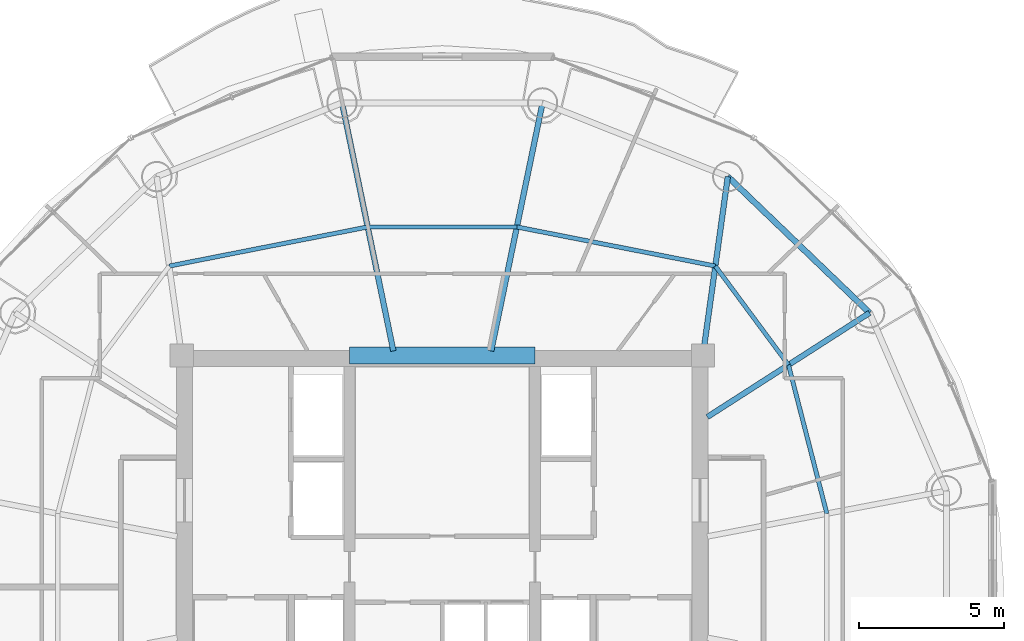
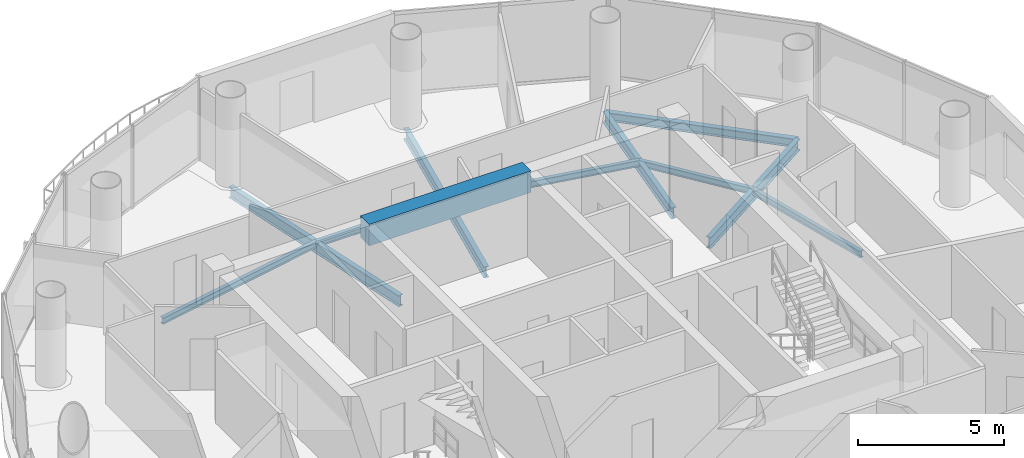
# One storey, part 9 of 23: 11 beams.
"""IFC4 building model written with IfcOpenShell, lengths in metres."""

from ifc_helpers import new_model, si_unit, direction, frame, origin, origin_2d, place, context, subcontext, project, spatial, rectangle, i_section, extrude, material, material_profile, profile_set, type_object, element, save


model = new_model("IFC4")

# Units and contexts
model_context = context("Model", 3, precision=1e-05, world=origin(), true_north=direction((-0.2419218956, 0.970295726276)))
body_context = subcontext(model_context, "Body", "Model", "MODEL_VIEW")
ifc_project = project(units=[si_unit("LENGTHUNIT", "METRE"), si_unit("AREAUNIT", "SQUARE_METRE"), si_unit("VOLUMEUNIT", "CUBIC_METRE"), si_unit("PLANEANGLEUNIT", "RADIAN"), si_unit("MASSUNIT", "GRAM", prefix="KILO")], contexts=[model_context])

# Site, building, storey
site_placement = place(None, origin())
site = spatial("IfcSite", under=ifc_project, at=site_placement, CompositionType="ELEMENT")
building_placement = place(site_placement, origin())
building = spatial("IfcBuilding", under=site, at=building_placement, Name="Cobrevalo Terracotta Tower", CompositionType="ELEMENT")
storey_placement = place(building_placement, frame((0.0, 0.0, 259.449951171875)))
storey = spatial("IfcBuildingStorey", under=building, at=storey_placement, Name="L68", CompositionType="ELEMENT", Elevation=259.449951171875)

# Beams
ifc_material_1 = material(Name="Concrete C60", Category="concrete")
ifc_material_profile_1 = material_profile(ifc_material_1, rectangle(XDim=0.60009765625, YDim=0.89990234375, at=origin_2d()), Name="RC CB 600x900")
ifc_profile_set_1 = profile_set([ifc_material_profile_1], Name="Concrete C60")
beam_type_1 = type_object("IfcBeamType", Name="Structural Beam RC CB 600x900 (Concrete C60)", PredefinedType="BEAM", material=ifc_profile_set_1)
beam_1_placement = place(storey_placement, frame((34.800048828125, 34.800048828125, 3.0400390625), z_axis=(1.0, 0.0, 0.0), x_axis=(0.0, 1.0, 0.0)))
element("IfcBeam", 1, at=beam_1_placement, inside=storey, type_object=beam_type_1, Name="L68 core coupling beam 2", PredefinedType="BEAM", context=body_context, shape_type="SweptSolid", body=[
    extrude(rectangle(XDim=0.60009765625, YDim=0.89990234375, at=origin_2d()), origin(), (0.0, 0.0, 1.0), 6.39990234375),
])
ifc_material_2 = material(Name="Steel S355", Category="steel")
ifc_material_profile_2 = material_profile(ifc_material_2, i_section(OverallWidth=0.19091796875, OverallDepth=0.4599609375, WebThickness=0.010009765625, FlangeThickness=0.01611328125, at=origin_2d()), Name="W 460x82")
ifc_profile_set_2 = profile_set([ifc_material_profile_2], Name="Steel S355")
beam_type_2 = type_object("IfcBeamType", Name="Structural Beam W 460x82 (Steel S355)", PredefinedType="BEAM", material=ifc_profile_set_2)
beam_2_placement = place(storey_placement, frame((52.758544921875, 36.2724609375, -0.489990234375), z_axis=(-0.84157615512, -0.540138477739, 0.0), x_axis=(0.540138477739, -0.84157615512, 0.0)))
element("IfcBeam", 2, at=beam_2_placement, inside=storey, type_object=beam_type_2, Name="L68 radial floor girder 02", PredefinedType="BEAM", context=body_context, shape_type="SweptSolid", body=[
    extrude(i_section(OverallWidth=0.19091796875, OverallDepth=0.4599609375, WebThickness=0.010009765625, FlangeThickness=0.01611328125, at=origin_2d()), origin(), (0.0, 0.0, 1.0), 6.658447265625),
])
beam_3_placement = place(storey_placement, frame((47.861328125, 40.9765625, -0.489990234375), z_axis=(-0.138115657759, -0.990416107039, 0.0), x_axis=(0.990416107039, -0.138115657759, 0.0)))
element("IfcBeam", 3, at=beam_3_placement, inside=storey, type_object=beam_type_2, Name="L68 radial floor girder 03", PredefinedType="BEAM", context=body_context, shape_type="SweptSolid", body=[
    extrude(i_section(OverallWidth=0.19091796875, OverallDepth=0.4599609375, WebThickness=0.010009765625, FlangeThickness=0.01611328125, at=origin_2d()), origin(), (0.0, 0.0, 1.0), 6.236328125),
])
for number, where, z_axis, x_axis, name in (
    (4, (41.462890625, 43.5224609375, -0.489990234375), (-0.202781841237, -0.9792239401, 0.0), (0.9792239401, -0.202781841237, 0.0), "L68 radial floor girder 04"),
    (5, (34.537109375, 43.5224609375, -0.489990234375), (0.202781841237, -0.9792239401, 0.0), (0.9792239401, 0.202781841237, 0.0), "L68 radial floor girder 05"),
):
    element("IfcBeam", number, at=place(storey_placement, frame(where, z_axis=z_axis, x_axis=x_axis)), inside=storey, type_object=beam_type_2, Name=name, PredefinedType="BEAM", context=body_context, shape_type="SweptSolid", body=[
        extrude(i_section(OverallWidth=0.19091796875, OverallDepth=0.4599609375, WebThickness=0.010009765625, FlangeThickness=0.01611328125, at=origin_2d()), origin(), (0.0, 0.0, 1.0), 8.749267578125),
    ])
ifc_material_profile_3 = material_profile(ifc_material_2, i_section(OverallWidth=0.14794921875, OverallDepth=0.26611328125, WebThickness=0.007568359375, FlangeThickness=0.012939453125, at=origin_2d()), Name="W 250x44.8")
ifc_profile_set_3 = profile_set([ifc_material_profile_3], Name="Steel S355")
beam_type_3 = type_object("IfcBeamType", Name="Structural Joist W 250x44.8 (Steel S355)", PredefinedType="JOIST", material=ifc_profile_set_3)
beam_4_placement = place(storey_placement, frame((51.281982421875, 29.337646484375, -0.39306640625), z_axis=(-0.249816773293, 0.968293126993, 0.0), x_axis=(-0.968293126993, -0.249816773293, 0.0)))
element("IfcBeam", 6, at=beam_4_placement, inside=storey, type_object=beam_type_3, Name="L68 circumferential secondary floor joist 01", PredefinedType="JOIST", context=body_context, shape_type="SweptSolid", body=[
    extrude(i_section(OverallWidth=0.14794921875, OverallDepth=0.26611328125, WebThickness=0.007568359375, FlangeThickness=0.012939453125, at=origin_2d()), origin(), (0.0, 0.0, 1.0), 5.3046875),
])
beam_5_placement = place(storey_placement, frame((49.956787109375, 34.47412109375, -0.39306640625), z_axis=(-0.594799916617, 0.803873783123, 0.0), x_axis=(-0.803873783123, -0.594799916617, 0.0)))
element("IfcBeam", 7, at=beam_5_placement, inside=storey, type_object=beam_type_3, Name="L68 circumferential secondary floor joist 02", PredefinedType="JOIST", context=body_context, shape_type="SweptSolid", body=[
    extrude(i_section(OverallWidth=0.14794921875, OverallDepth=0.26611328125, WebThickness=0.007568359375, FlangeThickness=0.012939453125, at=origin_2d()), origin(), (0.0, 0.0, 1.0), 4.2470703125),
])
beam_6_placement = place(storey_placement, frame((47.4306640625, 37.88818359375, -0.39306640625), z_axis=(-0.98113843359, 0.19330642548, 0.0), x_axis=(-0.19330642548, -0.98113843359, 0.0)))
element("IfcBeam", 8, at=beam_6_placement, inside=storey, type_object=beam_type_3, Name="L68 circumferential secondary floor joist 03", PredefinedType="JOIST", context=body_context, shape_type="SweptSolid", body=[
    extrude(i_section(OverallWidth=0.14794921875, OverallDepth=0.26611328125, WebThickness=0.007568359375, FlangeThickness=0.012939453125, at=origin_2d()), origin(), (0.0, 0.0, 1.0), 6.98681640625),
])
beam_7_placement = place(storey_placement, frame((40.57568359375, 39.23876953125, -0.39306640625), z_axis=(-1.0, 0.0, 0.0), x_axis=(0.0, -1.0, 0.0)))
element("IfcBeam", 9, at=beam_7_placement, inside=storey, type_object=beam_type_3, Name="L68 circumferential secondary floor joist 04", PredefinedType="JOIST", context=body_context, shape_type="SweptSolid", body=[
    extrude(i_section(OverallWidth=0.14794921875, OverallDepth=0.26611328125, WebThickness=0.007568359375, FlangeThickness=0.012939453125, at=origin_2d()), origin(), (0.0, 0.0, 1.0), 5.1513671875),
])
beam_8_placement = place(storey_placement, frame((35.42431640625, 39.23876953125, -0.39306640625), z_axis=(-0.98113843359, -0.19330642548, 0.0), x_axis=(0.19330642548, -0.98113843359, 0.0)))
element("IfcBeam", 10, at=beam_8_placement, inside=storey, type_object=beam_type_3, Name="L68 circumferential secondary floor joist 05", PredefinedType="JOIST", context=body_context, shape_type="SweptSolid", body=[
    extrude(i_section(OverallWidth=0.14794921875, OverallDepth=0.26611328125, WebThickness=0.007568359375, FlangeThickness=0.012939453125, at=origin_2d()), origin(), (0.0, 0.0, 1.0), 6.98681640625),
])
ifc_material_profile_4 = material_profile(ifc_material_2, i_section(OverallWidth=0.205078125, OverallDepth=0.35400390625, WebThickness=0.009521484375, FlangeThickness=0.016845703125, at=origin_2d()), Name="W 360x79")
ifc_profile_set_4 = profile_set([ifc_material_profile_4], Name="Steel S355")
beam_type_4 = type_object("IfcBeamType", Name="Structural Spandrel W 360x79 (Steel S355)", PredefinedType="SPANDREL", material=ifc_profile_set_4)
beam_9_placement = place(storey_placement, frame((52.758544921875, 36.2724609375, -0.43701171875), z_axis=(-0.721183246144, 0.692744343522, 0.0), x_axis=(-0.692744343522, -0.721183246144, 0.0)))
element("IfcBeam", 11, at=beam_9_placement, inside=storey, type_object=beam_type_4, Name="L68 perimeter ring spandrel 02", PredefinedType="SPANDREL", context=body_context, shape_type="SweptSolid", body=[
    extrude(i_section(OverallWidth=0.205078125, OverallDepth=0.35400390625, WebThickness=0.009521484375, FlangeThickness=0.016845703125, at=origin_2d()), origin(), (0.0, 0.0, 1.0), 6.79052734375),
])

save(model, "model.ifc")
